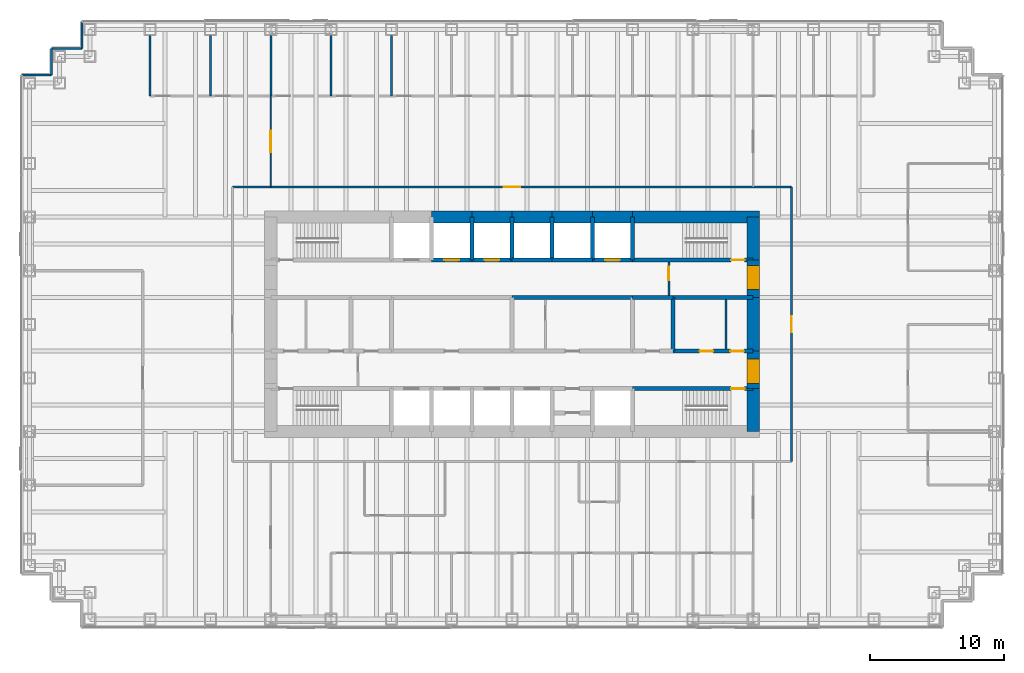
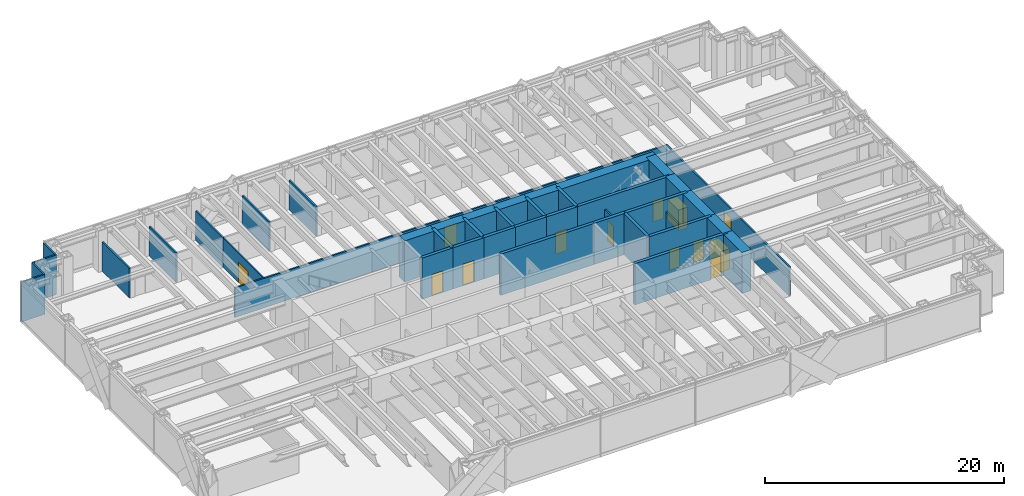
# One storey, part 16 of 19: 42 walls, 13 doors, 13 openings.
"""IFC4 building model written with IfcOpenShell, lengths in metres."""

from ifc_helpers import new_model, si_unit, direction, frame, frame_2d, origin, place, context, subcontext, project, spatial, rectangle, extrude, material, layer, layer_set, type_object, element, fill, save


model = new_model("IFC4")

# Units and contexts
model_context = context("Model", 3, precision=1e-05, world=origin(), true_north=direction((0.0, 1.0)))
body_context = subcontext(model_context, "Body", "Model", "MODEL_VIEW")
ifc_project = project(units=[si_unit("LENGTHUNIT", "METRE"), si_unit("AREAUNIT", "SQUARE_METRE"), si_unit("VOLUMEUNIT", "CUBIC_METRE"), si_unit("PLANEANGLEUNIT", "RADIAN"), si_unit("MASSUNIT", "GRAM", prefix="KILO")], contexts=[model_context])

# Site, building, storey
site_placement = place(None, origin())
site = spatial("IfcSite", under=ifc_project, at=site_placement, CompositionType="ELEMENT")
building_placement = place(site_placement, origin())
building = spatial("IfcBuilding", under=site, at=building_placement, Name="Rheinbord Bourse Tower", CompositionType="ELEMENT")
storey_placement = place(building_placement, frame((0.0, 0.0, 167.699951171875)))
storey = spatial("IfcBuildingStorey", under=building, at=storey_placement, Name="L37", CompositionType="ELEMENT", Elevation=167.699951171875)

# Wall, opening, door
ifc_material_1 = material(Name="Concrete C50/60", Category="concrete")
ifc_layer_1 = layer(ifc_material_1, 0.300048828125)
ifc_layer_set_1 = layer_set([ifc_layer_1], Name="CORE INNER WALL 300")
wall_type_1 = type_object("IfcWallType", Name="CORE INNER WALL 300", PredefinedType="SOLIDWALL", material=ifc_layer_set_1)
wall_1_placement = place(storey_placement, frame((45.0, 19.199951171875, 0.0), z_axis=(0.0, 0.0, 1.0), x_axis=(1.0, 0.0, 0.0)))
wall_1 = element("IfcWall", 1, at=wall_1_placement, inside=storey, type_object=wall_type_1, Name="Core wall A8 L37", PredefinedType="SOLIDWALL", context=body_context, shape_type="SweptSolid", body=[
    extrude(rectangle(XDim=9.0, YDim=0.300048828125, at=frame_2d((4.5, 0.0))), origin(), (0.0, 0.0, 1.0), 4.199951171875),
])
opening_1_placement = place(wall_1_placement, frame((7.35009765625, 0.0, 0.0)))
opening_1 = element("IfcOpeningElement", 2, at=opening_1_placement, cuts=wall_1, Name="Opening 3730", PredefinedType="OPENING", context=body_context, shape_type="SweptSolid", body=[
    extrude(rectangle(XDim=1.0, YDim=2.10009765625, at=frame_2d((0.5, 1.050048828125))), frame((0.0, 0.159912109375, 0.0), z_axis=(0.0, -1.0, 0.0), x_axis=(1.0, 0.0, 0.0)), (0.0, 0.0, 1.0), 0.320068359375),
])
ifc_material_2 = material(Name="Steel door", Category="steel")
door_type_1 = type_object("IfcDoorType", Name="DOOR 1000 EI30", OperationType="SINGLE_SWING_LEFT", PredefinedType="DOOR", material=ifc_material_2)
door_1_placement = place(opening_1_placement, origin())
door_1 = element("IfcDoor", 3, at=door_1_placement, inside=storey, type_object=door_type_1, Name="Stair door ST3 L37", OperationType="SINGLE_SWING_RIGHT", OverallHeight=2.10009765625, OverallWidth=1.0, PredefinedType="DOOR", context=body_context, shape_type="SweptSolid", body=[
    extrude(rectangle(XDim=1.0, YDim=2.10009765625, at=frame_2d((0.5, 1.050048828125))), frame((0.0, 0.02490234375, 0.0), z_axis=(0.0, -1.0, 0.0), x_axis=(1.0, 0.0, 0.0)), (0.0, 0.0, 1.0), 0.050048828125),
])
fill(opening_1, door_1)

wall_2_placement = place(storey_placement, frame((30.0, 28.800048828125, 0.0), z_axis=(0.0, 0.0, 1.0), x_axis=(1.0, 0.0, 0.0)))
wall_2 = element("IfcWall", 4, at=wall_2_placement, inside=storey, type_object=wall_type_1, Name="Core wall B3 L37", PredefinedType="SOLIDWALL", context=body_context, shape_type="SweptSolid", body=[
    extrude(rectangle(XDim=3.0, YDim=0.300048828125, at=frame_2d((1.5, 0.0))), origin(), (0.0, 0.0, 1.0), 4.199951171875),
])
opening_2_placement = place(wall_2_placement, frame((0.949951171875, 0.0, 0.0)))
opening_2 = element("IfcOpeningElement", 5, at=opening_2_placement, cuts=wall_2, Name="Opening PB4", PredefinedType="OPENING", context=body_context, shape_type="SweptSolid", body=[
    extrude(rectangle(XDim=1.10009765625, YDim=2.199951171875, at=frame_2d((0.550048828125, 1.10009765625))), frame((0.0, 0.159912109375, 0.0), z_axis=(0.0, -1.0, 0.0), x_axis=(1.0, 0.0, 0.0)), (0.0, 0.0, 1.0), 0.320068359375),
])
ifc_material_3 = material(Name="Steel landing door", Category="steel")
door_type_2 = type_object("IfcDoorType", Name="LIFT LANDING DOOR 1100", OperationType="DOUBLE_DOOR_SLIDING", PredefinedType="USERDEFINED", material=ifc_material_3)
door_2_placement = place(opening_2_placement, origin())
door_2 = element("IfcDoor", 6, at=door_2_placement, inside=storey, type_object=door_type_2, Name="Lift landing door PB4 L37", ObjectType="LIFT LANDING DOOR", OperationType="DOUBLE_DOOR_SLIDING", OverallHeight=2.199951171875, OverallWidth=1.10009765625, PredefinedType="USERDEFINED", context=body_context, shape_type="SweptSolid", body=[
    extrude(rectangle(XDim=1.10009765625, YDim=2.199951171875, at=frame_2d((0.550048828125, 1.10009765625))), frame((0.0, 0.02490234375, 0.0), z_axis=(0.0, -1.0, 0.0), x_axis=(1.0, 0.0, 0.0)), (0.0, 0.0, 1.0), 0.050048828125),
])
fill(opening_2, door_2)

wall_3_placement = place(storey_placement, frame((33.0, 28.800048828125, 0.0), z_axis=(0.0, 0.0, 1.0), x_axis=(1.0, 0.0, 0.0)))
wall_3 = element("IfcWall", 7, at=wall_3_placement, inside=storey, type_object=wall_type_1, Name="Core wall B4 L37", PredefinedType="SOLIDWALL", context=body_context, shape_type="SweptSolid", body=[
    extrude(rectangle(XDim=3.0, YDim=0.300048828125, at=frame_2d((1.5, 0.0))), origin(), (0.0, 0.0, 1.0), 4.199951171875),
])
opening_3_placement = place(wall_3_placement, frame((0.949951171875, 0.0, 0.0)))
opening_3 = element("IfcOpeningElement", 8, at=opening_3_placement, cuts=wall_3, Name="Opening PB5", PredefinedType="OPENING", context=body_context, shape_type="SweptSolid", body=[
    extrude(rectangle(XDim=1.10009765625, YDim=2.199951171875, at=frame_2d((0.550048828125, 1.10009765625))), frame((0.0, 0.159912109375, 0.0), z_axis=(0.0, -1.0, 0.0), x_axis=(1.0, 0.0, 0.0)), (0.0, 0.0, 1.0), 0.320068359375),
])
door_3_placement = place(opening_3_placement, origin())
door_3 = element("IfcDoor", 9, at=door_3_placement, inside=storey, type_object=door_type_2, Name="Lift landing door PB5 L37", ObjectType="LIFT LANDING DOOR", OperationType="DOUBLE_DOOR_SLIDING", OverallHeight=2.199951171875, OverallWidth=1.10009765625, PredefinedType="USERDEFINED", context=body_context, shape_type="SweptSolid", body=[
    extrude(rectangle(XDim=1.10009765625, YDim=2.199951171875, at=frame_2d((0.550048828125, 1.10009765625))), frame((0.0, 0.02490234375, 0.0), z_axis=(0.0, -1.0, 0.0), x_axis=(1.0, 0.0, 0.0)), (0.0, 0.0, 1.0), 0.050048828125),
])
fill(opening_3, door_3)

# Walls
for number, where, z_axis, x_axis, name in (
    (10, (36.0, 28.800048828125, 0.0), (0.0, 0.0, 1.0), (1.0, 0.0, 0.0), "Core wall B5 L37"),
    (11, (39.0, 28.800048828125, 0.0), (0.0, 0.0, 1.0), (1.0, 0.0, 0.0), "Core wall B6 L37"),
):
    element("IfcWall", number, at=place(storey_placement, frame(where, z_axis=z_axis, x_axis=x_axis)), inside=storey, type_object=wall_type_1, Name=name, PredefinedType="SOLIDWALL", context=body_context, shape_type="SweptSolid", body=[
        extrude(rectangle(XDim=3.0, YDim=0.300048828125, at=frame_2d((1.5, 0.0))), origin(), (0.0, 0.0, 1.0), 4.199951171875),
    ])

# Wall, opening, door
wall_4_placement = place(storey_placement, frame((42.0, 28.800048828125, 0.0), z_axis=(0.0, 0.0, 1.0), x_axis=(1.0, 0.0, 0.0)))
wall_4 = element("IfcWall", 12, at=wall_4_placement, inside=storey, type_object=wall_type_1, Name="Core wall B7 L37", PredefinedType="SOLIDWALL", context=body_context, shape_type="SweptSolid", body=[
    extrude(rectangle(XDim=3.0, YDim=0.300048828125, at=frame_2d((1.5, 0.0))), origin(), (0.0, 0.0, 1.0), 4.199951171875),
])
opening_4_placement = place(wall_4_placement, frame((0.949951171875, 0.0, 0.0)))
opening_4 = element("IfcOpeningElement", 13, at=opening_4_placement, cuts=wall_4, Name="Opening FL2", PredefinedType="OPENING", context=body_context, shape_type="SweptSolid", body=[
    extrude(rectangle(XDim=1.10009765625, YDim=2.199951171875, at=frame_2d((0.550048828125, 1.10009765625))), frame((0.0, 0.159912109375, 0.0), z_axis=(0.0, -1.0, 0.0), x_axis=(1.0, 0.0, 0.0)), (0.0, 0.0, 1.0), 0.320068359375),
])
door_4_placement = place(opening_4_placement, origin())
door_4 = element("IfcDoor", 14, at=door_4_placement, inside=storey, type_object=door_type_2, Name="Lift landing door FL2 L37", ObjectType="LIFT LANDING DOOR", OperationType="DOUBLE_DOOR_SLIDING", OverallHeight=2.199951171875, OverallWidth=1.10009765625, PredefinedType="USERDEFINED", context=body_context, shape_type="SweptSolid", body=[
    extrude(rectangle(XDim=1.10009765625, YDim=2.199951171875, at=frame_2d((0.550048828125, 1.10009765625))), frame((0.0, 0.02490234375, 0.0), z_axis=(0.0, -1.0, 0.0), x_axis=(1.0, 0.0, 0.0)), (0.0, 0.0, 1.0), 0.050048828125),
])
fill(opening_4, door_4)

wall_5_placement = place(storey_placement, frame((45.0, 28.800048828125, 0.0), z_axis=(0.0, 0.0, 1.0), x_axis=(1.0, 0.0, 0.0)))
wall_5 = element("IfcWall", 15, at=wall_5_placement, inside=storey, type_object=wall_type_1, Name="Core wall B8 L37", PredefinedType="SOLIDWALL", context=body_context, shape_type="SweptSolid", body=[
    extrude(rectangle(XDim=9.0, YDim=0.300048828125, at=frame_2d((4.5, 0.0))), origin(), (0.0, 0.0, 1.0), 4.199951171875),
])
opening_5_placement = place(wall_5_placement, frame((7.35009765625, 0.0, 0.0)))
opening_5 = element("IfcOpeningElement", 16, at=opening_5_placement, cuts=wall_5, Name="Opening 3740", PredefinedType="OPENING", context=body_context, shape_type="SweptSolid", body=[
    extrude(rectangle(XDim=1.0, YDim=2.10009765625, at=frame_2d((0.5, 1.050048828125))), frame((0.0, 0.159912109375, 0.0), z_axis=(0.0, -1.0, 0.0), x_axis=(1.0, 0.0, 0.0)), (0.0, 0.0, 1.0), 0.320068359375),
])
door_5_placement = place(opening_5_placement, origin())
door_5 = element("IfcDoor", 17, at=door_5_placement, inside=storey, type_object=door_type_1, Name="Stair door ST4 L37", OperationType="SINGLE_SWING_RIGHT", OverallHeight=2.10009765625, OverallWidth=1.0, PredefinedType="DOOR", context=body_context, shape_type="SweptSolid", body=[
    extrude(rectangle(XDim=1.0, YDim=2.10009765625, at=frame_2d((0.5, 1.050048828125))), frame((0.0, 0.02490234375, 0.0), z_axis=(0.0, -1.0, 0.0), x_axis=(1.0, 0.0, 0.0)), (0.0, 0.0, 1.0), 0.050048828125),
])
fill(opening_5, door_5)

# Wall, openings, doors
wall_6_placement = place(storey_placement, frame((48.0, 22.0, 0.0), z_axis=(0.0, 0.0, 1.0), x_axis=(1.0, 0.0, 0.0)))
wall_6 = element("IfcWall", 18, at=wall_6_placement, inside=storey, type_object=wall_type_1, Name="Core wall C6 L37", PredefinedType="SOLIDWALL", context=body_context, shape_type="SweptSolid", body=[
    extrude(rectangle(XDim=6.0, YDim=0.300048828125, at=frame_2d((3.0, 0.0))), origin(), (0.0, 0.0, 1.0), 4.199951171875),
])
opening_6_placement = place(wall_6_placement, frame((2.0, 0.0, 0.0)))
opening_6 = element("IfcOpeningElement", 19, at=opening_6_placement, cuts=wall_6, Name="Opening 37R6", PredefinedType="OPENING", context=body_context, shape_type="SweptSolid", body=[
    extrude(rectangle(XDim=1.0, YDim=2.10009765625, at=frame_2d((0.5, 1.050048828125))), frame((0.0, 0.159912109375, 0.0), z_axis=(0.0, -1.0, 0.0), x_axis=(1.0, 0.0, 0.0)), (0.0, 0.0, 1.0), 0.320068359375),
])
opening_7_placement = place(wall_6_placement, frame((4.300048828125, 0.0, 0.0)))
opening_7 = element("IfcOpeningElement", 20, at=opening_7_placement, cuts=wall_6, Name="Opening 37R10", PredefinedType="OPENING", context=body_context, shape_type="SweptSolid", body=[
    extrude(rectangle(XDim=1.0, YDim=2.10009765625, at=frame_2d((0.5, 1.050048828125))), frame((0.0, 0.159912109375, 0.0), z_axis=(0.0, -1.0, 0.0), x_axis=(1.0, 0.0, 0.0)), (0.0, 0.0, 1.0), 0.320068359375),
])
door_6_placement = place(opening_7_placement, origin())
door_6 = element("IfcDoor", 21, at=door_6_placement, inside=storey, type_object=door_type_1, Name="Cleaner's store door L37", OperationType="SINGLE_SWING_RIGHT", OverallHeight=2.10009765625, OverallWidth=1.0, PredefinedType="DOOR", context=body_context, shape_type="SweptSolid", body=[
    extrude(rectangle(XDim=1.0, YDim=2.10009765625, at=frame_2d((0.5, 1.050048828125))), frame((0.0, 0.02490234375, 0.0), z_axis=(0.0, -1.0, 0.0), x_axis=(1.0, 0.0, 0.0)), (0.0, 0.0, 1.0), 0.050048828125),
])
fill(opening_7, door_6)
ifc_material_4 = material(Name="Timber door", Category="wood")
door_type_3 = type_object("IfcDoorType", Name="DOOR 1000 WC", OperationType="SINGLE_SWING_LEFT", PredefinedType="DOOR", material=ifc_material_4)
door_7_placement = place(opening_6_placement, origin())
door_7 = element("IfcDoor", 22, at=door_7_placement, inside=storey, type_object=door_type_3, Name="WC women door L37", OperationType="SINGLE_SWING_LEFT", OverallHeight=2.10009765625, OverallWidth=1.0, PredefinedType="DOOR", context=body_context, shape_type="SweptSolid", body=[
    extrude(rectangle(XDim=1.0, YDim=2.10009765625, at=frame_2d((0.5, 1.050048828125))), frame((0.0, 0.02490234375, 0.0), z_axis=(0.0, -1.0, 0.0), x_axis=(1.0, 0.0, 0.0)), (0.0, 0.0, 1.0), 0.050048828125),
])
fill(opening_6, door_7)

# Walls
wall_7_placement = place(storey_placement, frame((36.0, 26.0, 0.0), z_axis=(0.0, 0.0, 1.0), x_axis=(1.0, 0.0, 0.0)))
element("IfcWall", 23, at=wall_7_placement, inside=storey, type_object=wall_type_1, Name="Core wall D4 L37", PredefinedType="SOLIDWALL", context=body_context, shape_type="SweptSolid", body=[
    extrude(rectangle(XDim=9.0, YDim=0.300048828125, at=frame_2d((4.5, 0.0))), origin(), (0.0, 0.0, 1.0), 4.199951171875),
])
wall_8_placement = place(storey_placement, frame((45.0, 26.0, 0.0), z_axis=(0.0, 0.0, 1.0), x_axis=(1.0, 0.0, 0.0)))
element("IfcWall", 24, at=wall_8_placement, inside=storey, type_object=wall_type_1, Name="Core wall D5 L37", PredefinedType="SOLIDWALL", context=body_context, shape_type="SweptSolid", body=[
    extrude(rectangle(XDim=3.0, YDim=0.300048828125, at=frame_2d((1.5, 0.0))), origin(), (0.0, 0.0, 1.0), 4.199951171875),
])
wall_9_placement = place(storey_placement, frame((48.0, 26.0, 0.0), z_axis=(0.0, 0.0, 1.0), x_axis=(1.0, 0.0, 0.0)))
element("IfcWall", 25, at=wall_9_placement, inside=storey, type_object=wall_type_1, Name="Core wall D6 L37", PredefinedType="SOLIDWALL", context=body_context, shape_type="SweptSolid", body=[
    extrude(rectangle(XDim=6.0, YDim=0.300048828125, at=frame_2d((3.0, 0.0))), origin(), (0.0, 0.0, 1.0), 4.199951171875),
])
for number, where, z_axis, x_axis, name in (
    (26, (33.0, 28.800048828125, 0.0), (0.0, 0.0, 1.0), (0.0, 1.0, 0.0), "Core wall NX33 L37"),
    (27, (36.0, 28.800048828125, 0.0), (0.0, 0.0, 1.0), (0.0, 1.0, 0.0), "Core wall NX36 L37"),
    (28, (39.0, 28.800048828125, 0.0), (0.0, 0.0, 1.0), (0.0, 1.0, 0.0), "Core wall NX39 L37"),
    (29, (42.0, 28.800048828125, 0.0), (0.0, 0.0, 1.0), (0.0, 1.0, 0.0), "Core wall NX42 L37"),
    (30, (45.0, 28.800048828125, 0.0), (0.0, 0.0, 1.0), (0.0, 1.0, 0.0), "Core wall NX45 L37"),
):
    element("IfcWall", number, at=place(storey_placement, frame(where, z_axis=z_axis, x_axis=x_axis)), inside=storey, type_object=wall_type_1, Name=name, PredefinedType="SOLIDWALL", context=body_context, shape_type="SweptSolid", body=[
        extrude(rectangle(XDim=3.199951171875, YDim=0.300048828125, at=frame_2d((1.60009765625, 0.0))), origin(), (0.0, 0.0, 1.0), 4.199951171875),
    ])
wall_10_placement = place(storey_placement, frame((48.0, 22.0, 0.0), z_axis=(0.0, 0.0, 1.0), x_axis=(0.0, 1.0, 0.0)))
element("IfcWall", 31, at=wall_10_placement, inside=storey, type_object=wall_type_1, Name="Core wall MX48 L37", PredefinedType="SOLIDWALL", context=body_context, shape_type="SweptSolid", body=[
    extrude(rectangle(XDim=4.0, YDim=0.300048828125, at=frame_2d((2.0, 0.0))), origin(), (0.0, 0.0, 1.0), 4.199951171875),
])
ifc_material_5 = material(Name="Gypsum board fire partition", Category="gypsum board")
ifc_layer_2 = layer(ifc_material_5, 0.14990234375)
ifc_layer_set_2 = layer_set([ifc_layer_2], Name="CORE PARTITION 150 EI30")
wall_type_2 = type_object("IfcWallType", Name="CORE PARTITION 150 EI30", PredefinedType="PARTITIONING", material=ifc_layer_set_2)
wall_11_placement = place(storey_placement, frame((51.97509765625, 22.14990234375, 0.0), z_axis=(0.0, 0.0, 1.0), x_axis=(0.0, 1.0, 0.0)))
element("IfcWall", 32, at=wall_11_placement, inside=storey, type_object=wall_type_2, Name="Core partition L37-3", PredefinedType="PARTITIONING", context=body_context, shape_type="SweptSolid", body=[
    extrude(rectangle(XDim=3.7001953125, YDim=0.14990234375, at=frame_2d((1.85009765625, 0.0))), origin(), (0.0, 0.0, 1.0), 3.0),
])

# Wall, opening, door
wall_12_placement = place(storey_placement, frame((47.699951171875, 26.14990234375, 0.0), z_axis=(0.0, 0.0, 1.0), x_axis=(0.0, 1.0, 0.0)))
wall_12 = element("IfcWall", 33, at=wall_12_placement, inside=storey, type_object=wall_type_2, Name="Core partition L37-5", PredefinedType="PARTITIONING", context=body_context, shape_type="SweptSolid", body=[
    extrude(rectangle(XDim=2.5, YDim=0.14990234375, at=frame_2d((1.25, 0.0))), origin(), (0.0, 0.0, 1.0), 3.0),
])
opening_8_placement = place(wall_12_placement, frame((1.14990234375, 0.0, 0.0)))
opening_8 = element("IfcOpeningElement", 34, at=opening_8_placement, cuts=wall_12, Name="Opening 37L6", PredefinedType="OPENING", context=body_context, shape_type="SweptSolid", body=[
    extrude(rectangle(XDim=1.0, YDim=2.10009765625, at=frame_2d((0.5, 1.050048828125))), frame((0.0, 0.0849609375, 0.0), z_axis=(0.0, -1.0, 0.0), x_axis=(1.0, 0.0, 0.0)), (0.0, 0.0, 1.0), 0.169921875),
])
door_8_placement = place(opening_8_placement, origin())
door_8 = element("IfcDoor", 35, at=door_8_placement, inside=storey, type_object=door_type_1, Name="Stair lobby door L37", OperationType="SINGLE_SWING_RIGHT", OverallHeight=2.10009765625, OverallWidth=1.0, PredefinedType="DOOR", context=body_context, shape_type="SweptSolid", body=[
    extrude(rectangle(XDim=1.0, YDim=2.10009765625, at=frame_2d((0.5, 1.050048828125))), frame((0.0, 0.02490234375, 0.0), z_axis=(0.0, -1.0, 0.0), x_axis=(1.0, 0.0, 0.0)), (0.0, 0.0, 1.0), 0.050048828125),
])
fill(opening_8, door_8)

# Walls
ifc_material_6 = material(Name="Concrete C50/60", Category="concrete")
ifc_layer_3 = layer(ifc_material_6, 0.89990234375)
ifc_layer_set_3 = layer_set([ifc_layer_3], Name="CORE WALL 900")
wall_type_3 = type_object("IfcWallType", Name="CORE WALL 900", PredefinedType="SHEAR", material=ifc_layer_set_3)
wall_13_placement = place(storey_placement, frame((54.449951171875, 32.0, 0.0), z_axis=(0.0, 0.0, 1.0), x_axis=(-1.0, 0.0, 0.0)))
element("IfcWall", 36, at=wall_13_placement, inside=storey, type_object=wall_type_3, Name="Core wall N1 L37", PredefinedType="SHEAR", context=body_context, shape_type="SweptSolid", body=[
    extrude(rectangle(XDim=9.449951171875, YDim=0.89990234375, at=frame_2d((4.72509765625, 0.0))), origin(), (0.0, 0.0, 1.0), 4.199951171875),
])
for number, where, z_axis, x_axis, name in (
    (37, (45.0, 32.0, 0.0), (0.0, 0.0, 1.0), (-1.0, 0.0, 0.0), "Core wall N2 L37"),
    (38, (42.0, 32.0, 0.0), (0.0, 0.0, 1.0), (-1.0, 0.0, 0.0), "Core wall N3 L37"),
    (39, (39.0, 32.0, 0.0), (0.0, 0.0, 1.0), (-1.0, 0.0, 0.0), "Core wall N4 L37"),
    (40, (36.0, 32.0, 0.0), (0.0, 0.0, 1.0), (-1.0, 0.0, 0.0), "Core wall N5 L37"),
    (41, (33.0, 32.0, 0.0), (0.0, 0.0, 1.0), (-1.0, 0.0, 0.0), "Core wall N6 L37"),
):
    element("IfcWall", number, at=place(storey_placement, frame(where, z_axis=z_axis, x_axis=x_axis)), inside=storey, type_object=wall_type_3, Name=name, PredefinedType="SHEAR", context=body_context, shape_type="SweptSolid", body=[
        extrude(rectangle(XDim=3.0, YDim=0.89990234375, at=frame_2d((1.5, 0.0))), origin(), (0.0, 0.0, 1.0), 4.199951171875),
    ])
wall_14_placement = place(storey_placement, frame((54.0, 16.0, 0.0), z_axis=(0.0, 0.0, 1.0), x_axis=(0.0, 1.0, 0.0)))
element("IfcWall", 42, at=wall_14_placement, inside=storey, type_object=wall_type_3, Name="Core wall E1 L37", PredefinedType="SHEAR", context=body_context, shape_type="SweptSolid", body=[
    extrude(rectangle(XDim=3.199951171875, YDim=0.89990234375, at=frame_2d((1.60009765625, 0.0))), origin(), (0.0, 0.0, 1.0), 4.199951171875),
])

# Wall, opening, door
wall_15_placement = place(storey_placement, frame((54.0, 19.199951171875, 0.0), z_axis=(0.0, 0.0, 1.0), x_axis=(0.0, 1.0, 0.0)))
wall_15 = element("IfcWall", 43, at=wall_15_placement, inside=storey, type_object=wall_type_3, Name="Core wall E2 L37", PredefinedType="SHEAR", context=body_context, shape_type="SweptSolid", body=[
    extrude(rectangle(XDim=2.800048828125, YDim=0.89990234375, at=frame_2d((1.39990234375, 0.0))), origin(), (0.0, 0.0, 1.0), 4.199951171875),
])
opening_9_placement = place(wall_15_placement, frame((0.39990234375, 0.0, 0.0)))
opening_9 = element("IfcOpeningElement", 44, at=opening_9_placement, cuts=wall_15, Name="Opening 37L3", PredefinedType="OPENING", context=body_context, shape_type="SweptSolid", body=[
    extrude(rectangle(XDim=1.800048828125, YDim=2.10009765625, at=frame_2d((0.89990234375, 1.050048828125))), frame((0.0, 0.4599609375, 0.0), z_axis=(0.0, -1.0, 0.0), x_axis=(1.0, 0.0, 0.0)), (0.0, 0.0, 1.0), 0.919921875),
])
ifc_material_7 = material(Name="Steel door", Category="steel")
door_type_4 = type_object("IfcDoorType", Name="DOOR 1800 EI30 DOUBLE", OperationType="DOUBLE_DOOR_DOUBLE_SWING", PredefinedType="DOOR", material=ifc_material_7)
door_9_placement = place(opening_9_placement, origin())
door_9 = element("IfcDoor", 45, at=door_9_placement, inside=storey, type_object=door_type_4, Name="Lobby door 3 L37", OperationType="SINGLE_SWING_LEFT", OverallHeight=2.10009765625, OverallWidth=1.800048828125, PredefinedType="DOOR", context=body_context, shape_type="SweptSolid", body=[
    extrude(rectangle(XDim=1.800048828125, YDim=2.10009765625, at=frame_2d((0.89990234375, 1.050048828125))), frame((0.0, 0.44970703125, 0.0), z_axis=(0.0, -1.0, 0.0), x_axis=(1.0, 0.0, 0.0)), (0.0, 0.0, 1.0), 0.8994140625),
])
fill(opening_9, door_9)

# Wall
wall_16_placement = place(storey_placement, frame((54.0, 22.0, 0.0), z_axis=(0.0, 0.0, 1.0), x_axis=(0.0, 1.0, 0.0)))
element("IfcWall", 46, at=wall_16_placement, inside=storey, type_object=wall_type_3, Name="Core wall E3 L37", PredefinedType="SHEAR", context=body_context, shape_type="SweptSolid", body=[
    extrude(rectangle(XDim=4.0, YDim=0.89990234375, at=frame_2d((2.0, 0.0))), origin(), (0.0, 0.0, 1.0), 4.199951171875),
])

# Wall, opening, door
wall_17_placement = place(storey_placement, frame((54.0, 26.0, 0.0), z_axis=(0.0, 0.0, 1.0), x_axis=(0.0, 1.0, 0.0)))
wall_17 = element("IfcWall", 47, at=wall_17_placement, inside=storey, type_object=wall_type_3, Name="Core wall E4 L37", PredefinedType="SHEAR", context=body_context, shape_type="SweptSolid", body=[
    extrude(rectangle(XDim=2.800048828125, YDim=0.89990234375, at=frame_2d((1.39990234375, 0.0))), origin(), (0.0, 0.0, 1.0), 4.199951171875),
])
opening_10_placement = place(wall_17_placement, frame((0.60009765625, 0.0, 0.0)))
opening_10 = element("IfcOpeningElement", 48, at=opening_10_placement, cuts=wall_17, Name="Opening 37L4", PredefinedType="OPENING", context=body_context, shape_type="SweptSolid", body=[
    extrude(rectangle(XDim=1.800048828125, YDim=2.10009765625, at=frame_2d((0.89990234375, 1.050048828125))), frame((0.0, 0.4599609375, 0.0), z_axis=(0.0, -1.0, 0.0), x_axis=(1.0, 0.0, 0.0)), (0.0, 0.0, 1.0), 0.919921875),
])
door_10_placement = place(opening_10_placement, origin())
door_10 = element("IfcDoor", 49, at=door_10_placement, inside=storey, type_object=door_type_4, Name="Lobby door 4 L37", OperationType="SINGLE_SWING_LEFT", OverallHeight=2.10009765625, OverallWidth=1.800048828125, PredefinedType="DOOR", context=body_context, shape_type="SweptSolid", body=[
    extrude(rectangle(XDim=1.800048828125, YDim=2.10009765625, at=frame_2d((0.89990234375, 1.050048828125))), frame((0.0, 0.44970703125, 0.0), z_axis=(0.0, -1.0, 0.0), x_axis=(1.0, 0.0, 0.0)), (0.0, 0.0, 1.0), 0.8994140625),
])
fill(opening_10, door_10)

# Walls
wall_18_placement = place(storey_placement, frame((54.0, 28.800048828125, 0.0), z_axis=(0.0, 0.0, 1.0), x_axis=(0.0, 1.0, 0.0)))
element("IfcWall", 50, at=wall_18_placement, inside=storey, type_object=wall_type_3, Name="Core wall E5 L37", PredefinedType="SHEAR", context=body_context, shape_type="SweptSolid", body=[
    extrude(rectangle(XDim=3.199951171875, YDim=0.89990234375, at=frame_2d((1.60009765625, 0.0))), origin(), (0.0, 0.0, 1.0), 4.199951171875),
])
ifc_material_8 = material(Name="Black metal rainscreen panel", Category="aluminium")
ifc_layer_4 = layer(ifc_material_8, 0.14990234375)
ifc_layer_set_4 = layer_set([ifc_layer_4], Name="CORNER PIER CLADDING 150")
wall_type_4 = type_object("IfcWallType", Name="CORNER PIER CLADDING 150", PredefinedType="ELEMENTEDWALL", material=ifc_layer_set_4)
wall_19_placement = place(storey_placement, frame((3.89990234375, 46.60009765625, 0.0), z_axis=(0.0, 0.0, 1.0), x_axis=(0.0, -1.0, 0.0)))
element("IfcWall", 51, at=wall_19_placement, inside=storey, type_object=wall_type_4, Name="Corner pier cladding L37 12", PredefinedType="ELEMENTEDWALL", context=body_context, shape_type="SweptSolid", body=[
    extrude(rectangle(XDim=2.0, YDim=0.14990234375, at=frame_2d((1.0, 0.0))), origin(), (0.0, 0.0, 1.0), 4.0400390625),
])
wall_20_placement = place(storey_placement, frame((3.89990234375, 44.60009765625, 0.0), z_axis=(0.0, 0.0, 1.0), x_axis=(-1.0, 0.0, 0.0)))
element("IfcWall", 52, at=wall_20_placement, inside=storey, type_object=wall_type_4, Name="Corner pier cladding L37 13", PredefinedType="ELEMENTEDWALL", context=body_context, shape_type="SweptSolid", body=[
    extrude(rectangle(XDim=2.25, YDim=0.14990234375, at=frame_2d((1.125, 0.0))), origin(), (0.0, 0.0, 1.0), 4.0400390625),
])
wall_21_placement = place(storey_placement, frame((1.64990234375, 44.60009765625, 0.0), z_axis=(0.0, 0.0, 1.0), x_axis=(0.0, -1.0, 0.0)))
element("IfcWall", 53, at=wall_21_placement, inside=storey, type_object=wall_type_4, Name="Corner pier cladding L37 14", PredefinedType="ELEMENTEDWALL", context=body_context, shape_type="SweptSolid", body=[
    extrude(rectangle(XDim=2.0, YDim=0.14990234375, at=frame_2d((1.0, 0.0))), origin(), (0.0, 0.0, 1.0), 4.0400390625),
])
wall_22_placement = place(storey_placement, frame((1.64990234375, 42.60009765625, 0.0), z_axis=(0.0, 0.0, 1.0), x_axis=(-1.0, 0.0, 0.0)))
element("IfcWall", 54, at=wall_22_placement, inside=storey, type_object=wall_type_4, Name="Corner pier cladding L37 15", PredefinedType="ELEMENTEDWALL", context=body_context, shape_type="SweptSolid", body=[
    extrude(rectangle(XDim=2.25, YDim=0.14990234375, at=frame_2d((1.125, 0.0))), origin(), (0.0, 0.0, 1.0), 4.0400390625),
])

# Wall, opening, door
ifc_material_9 = material(Name="Gypsum board corridor partition", Category="gypsum board")
ifc_layer_5 = layer(ifc_material_9, 0.14990234375)
ifc_layer_set_5 = layer_set([ifc_layer_5], Name="CORRIDOR PARTITION 150 EI30")
wall_type_5 = type_object("IfcWallType", Name="CORRIDOR PARTITION 150 EI30", PredefinedType="PARTITIONING", material=ifc_layer_set_5)
wall_23_placement = place(storey_placement, frame((15.14990234375, 34.25, 0.0), z_axis=(0.0, 0.0, 1.0), x_axis=(1.0, 0.0, 0.0)))
wall_23 = element("IfcWall", 55, at=wall_23_placement, inside=storey, type_object=wall_type_5, Name="Partition L37-12", PredefinedType="PARTITIONING", context=body_context, shape_type="SweptSolid", body=[
    extrude(rectangle(XDim=41.7001953125, YDim=0.14990234375, at=frame_2d((20.85009765625, 0.0))), origin(), (0.0, 0.0, 1.0), 3.0),
])
opening_11_placement = place(wall_23_placement, frame((20.25, 0.0, 0.0)))
opening_11 = element("IfcOpeningElement", 56, at=opening_11_placement, cuts=wall_23, Name="Opening 37D33", PredefinedType="OPENING", context=body_context, shape_type="SweptSolid", body=[
    extrude(rectangle(XDim=1.199951171875, YDim=2.10009765625, at=frame_2d((0.60009765625, 1.050048828125))), frame((0.0, 0.0849609375, 0.0), z_axis=(0.0, -1.0, 0.0), x_axis=(1.0, 0.0, 0.0)), (0.0, 0.0, 1.0), 0.169921875),
])
ifc_material_10 = material(Name="Timber fire door", Category="wood")
door_type_5 = type_object("IfcDoorType", Name="SUITE ENTRANCE DOOR 1200 EI30", OperationType="SINGLE_SWING_LEFT", PredefinedType="DOOR", material=ifc_material_10)
door_11_placement = place(opening_11_placement, origin())
door_11 = element("IfcDoor", 57, at=door_11_placement, inside=storey, type_object=door_type_5, Name="Suite entrance 4 door L37", OperationType="SINGLE_SWING_LEFT", OverallHeight=2.10009765625, OverallWidth=1.199951171875, PredefinedType="DOOR", context=body_context, shape_type="SweptSolid", body=[
    extrude(rectangle(XDim=1.199951171875, YDim=2.10009765625, at=frame_2d((0.60009765625, 1.050048828125))), frame((0.0, 0.02490234375, 0.0), z_axis=(0.0, -1.0, 0.0), x_axis=(1.0, 0.0, 0.0)), (0.0, 0.0, 1.0), 0.050048828125),
])
fill(opening_11, door_11)

wall_24_placement = place(storey_placement, frame((56.85009765625, 13.75, 0.0), z_axis=(0.0, 0.0, 1.0), x_axis=(0.0, 1.0, 0.0)))
wall_24 = element("IfcWall", 58, at=wall_24_placement, inside=storey, type_object=wall_type_5, Name="Partition L37-44", PredefinedType="PARTITIONING", context=body_context, shape_type="SweptSolid", body=[
    extrude(rectangle(XDim=20.5, YDim=0.14990234375, at=frame_2d((10.25, 0.0))), origin(), (0.0, 0.0, 1.0), 3.0),
])
opening_12_placement = place(wall_24_placement, frame((9.64990234375, 0.0, 0.0)))
opening_12 = element("IfcOpeningElement", 59, at=opening_12_placement, cuts=wall_24, Name="Opening 37D31", PredefinedType="OPENING", context=body_context, shape_type="SweptSolid", body=[
    extrude(rectangle(XDim=1.199951171875, YDim=2.10009765625, at=frame_2d((0.60009765625, 1.050048828125))), frame((0.0, 0.0849609375, 0.0), z_axis=(0.0, -1.0, 0.0), x_axis=(1.0, 0.0, 0.0)), (0.0, 0.0, 1.0), 0.169921875),
])
door_12_placement = place(opening_12_placement, origin())
door_12 = element("IfcDoor", 60, at=door_12_placement, inside=storey, type_object=door_type_5, Name="Suite entrance 2 door L37", OperationType="SINGLE_SWING_LEFT", OverallHeight=2.10009765625, OverallWidth=1.199951171875, PredefinedType="DOOR", context=body_context, shape_type="SweptSolid", body=[
    extrude(rectangle(XDim=1.199951171875, YDim=2.10009765625, at=frame_2d((0.60009765625, 1.050048828125))), frame((0.0, 0.02490234375, 0.0), z_axis=(0.0, -1.0, 0.0), x_axis=(1.0, 0.0, 0.0)), (0.0, 0.0, 1.0), 0.050048828125),
])
fill(opening_12, door_12)

ifc_material_11 = material(Name="Toughened laminated glass partition", Category="glass")
ifc_layer_6 = layer(ifc_material_11, 0.10009765625)
ifc_layer_set_6 = layer_set([ifc_layer_6], Name="GLAZED PARTITION 100")
wall_type_6 = type_object("IfcWallType", Name="GLAZED PARTITION 100", PredefinedType="PARTITIONING", material=ifc_layer_set_6)
wall_25_placement = place(storey_placement, frame((18.0, 34.25, 0.0), z_axis=(0.0, 0.0, 1.0), x_axis=(0.0, 1.0, 0.0)))
wall_25 = element("IfcWall", 61, at=wall_25_placement, inside=storey, type_object=wall_type_6, Name="Partition L37-20", PredefinedType="PARTITIONING", context=body_context, shape_type="SweptSolid", body=[
    extrude(rectangle(XDim=6.800048828125, YDim=0.10009765625, at=frame_2d((3.39990234375, 0.0))), origin(), (0.0, 0.0, 1.0), 3.0),
])
opening_13_placement = place(wall_25_placement, frame((2.60009765625, 0.0, 0.0)))
opening_13 = element("IfcOpeningElement", 62, at=opening_13_placement, cuts=wall_25, Name="Opening 37D27", PredefinedType="OPENING", context=body_context, shape_type="SweptSolid", body=[
    extrude(rectangle(XDim=1.60009765625, YDim=2.10009765625, at=frame_2d((0.800048828125, 1.050048828125))), frame((0.0, 0.06005859375, 0.0), z_axis=(0.0, -1.0, 0.0), x_axis=(1.0, 0.0, 0.0)), (0.0, 0.0, 1.0), 0.1201171875),
])
ifc_material_12 = material(Name="Timber door", Category="wood")
door_type_6 = type_object("IfcDoorType", Name="DOUBLE ROOM DOOR 1600", OperationType="DOUBLE_DOOR_DOUBLE_SWING", PredefinedType="DOOR", material=ifc_material_12)
door_13_placement = place(opening_13_placement, origin())
door_13 = element("IfcDoor", 63, at=door_13_placement, inside=storey, type_object=door_type_6, Name="Open area door L37", OperationType="SINGLE_SWING_LEFT", OverallHeight=2.10009765625, OverallWidth=1.60009765625, PredefinedType="DOOR", context=body_context, shape_type="SweptSolid", body=[
    extrude(rectangle(XDim=1.60009765625, YDim=2.10009765625, at=frame_2d((0.800048828125, 1.050048828125))), frame((0.0, 0.02490234375, 0.0), z_axis=(0.0, -1.0, 0.0), x_axis=(1.0, 0.0, 0.0)), (0.0, 0.0, 1.0), 0.050048828125),
])
fill(opening_13, door_13)

# Walls
ifc_material_13 = material(Name="Gypsum board partition", Category="gypsum board")
ifc_layer_7 = layer(ifc_material_13, 0.14990234375)
ifc_layer_set_7 = layer_set([ifc_layer_7], Name="PARTITION 150")
wall_type_7 = type_object("IfcWallType", Name="PARTITION 150", PredefinedType="PARTITIONING", material=ifc_layer_set_7)
for number, where, z_axis, x_axis, name in (
    (64, (9.0, 41.050048828125, 0.0), (0.0, 0.0, 1.0), (0.0, 1.0, 0.0), "Partition L37-16"),
    (65, (13.5, 41.050048828125, 0.0), (0.0, 0.0, 1.0), (0.0, 1.0, 0.0), "Partition L37-17"),
    (66, (18.0, 41.050048828125, 0.0), (0.0, 0.0, 1.0), (0.0, 1.0, 0.0), "Partition L37-21"),
    (67, (22.5, 41.050048828125, 0.0), (0.0, 0.0, 1.0), (0.0, 1.0, 0.0), "Partition L37-23"),
    (68, (27.0, 41.050048828125, 0.0), (0.0, 0.0, 1.0), (0.0, 1.0, 0.0), "Partition L37-26"),
):
    element("IfcWall", number, at=place(storey_placement, frame(where, z_axis=z_axis, x_axis=x_axis)), inside=storey, type_object=wall_type_7, Name=name, PredefinedType="PARTITIONING", context=body_context, shape_type="SweptSolid", body=[
        extrude(rectangle(XDim=4.5, YDim=0.14990234375, at=frame_2d((2.25, 0.0))), origin(), (0.0, 0.0, 1.0), 3.0),
    ])

save(model, "model.ifc")
